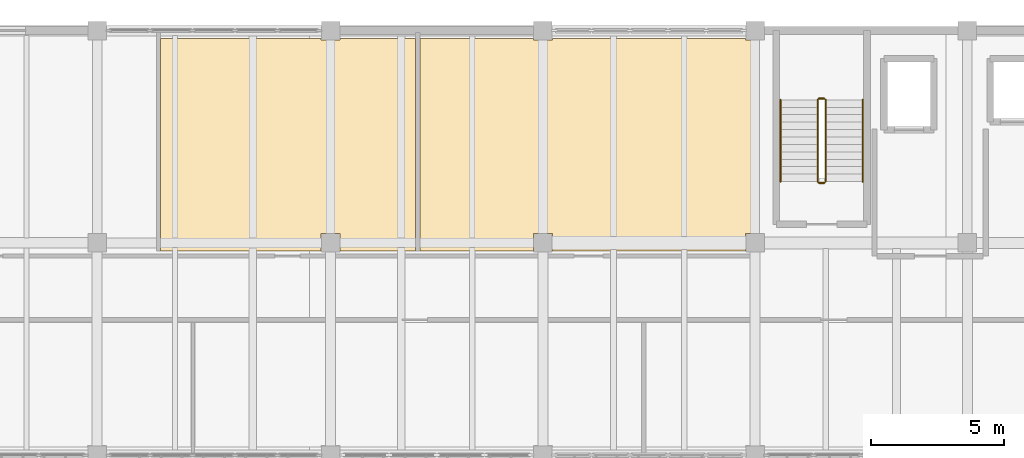
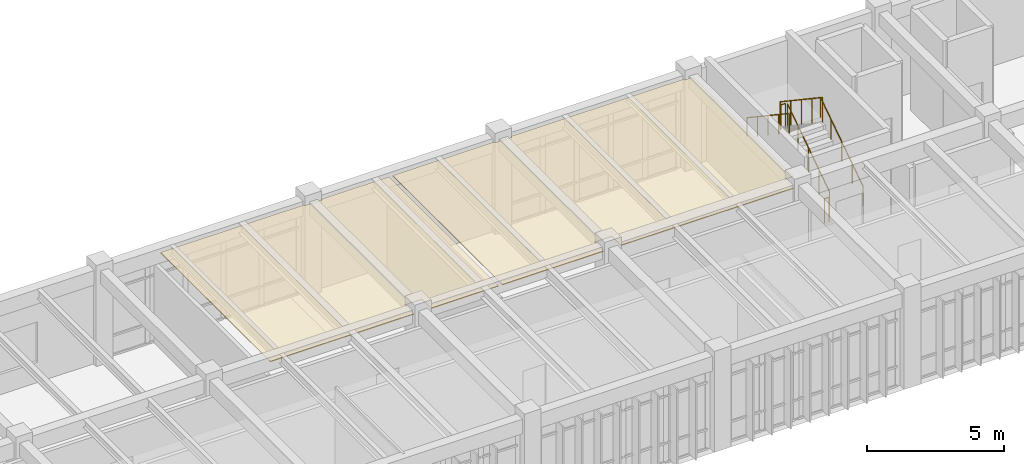
# One storey, part 68 of 72: 6 railings, 2 coverings.
"""IFC4 building model written with IfcOpenShell, lengths in metres."""

from ifc_helpers import new_model, si_unit, direction, frame, origin, origin_2d, place, context, subcontext, project, spatial, polyline, circle, outline, extrude, material, layer, layer_set, type_object, element, save


model = new_model("IFC4")

# Units and contexts
model_context = context("Model", 3, precision=1e-05, world=origin(), true_north=direction((0.0, 1.0)))
body_context = subcontext(model_context, "Body", "Model", "MODEL_VIEW")
ifc_project = project(units=[si_unit("LENGTHUNIT", "METRE"), si_unit("AREAUNIT", "SQUARE_METRE"), si_unit("VOLUMEUNIT", "CUBIC_METRE"), si_unit("PLANEANGLEUNIT", "RADIAN"), si_unit("MASSUNIT", "GRAM", prefix="KILO")], contexts=[model_context])

# Site, building, storey
site_placement = place(None, origin())
site = spatial("IfcSite", under=ifc_project, at=site_placement, CompositionType="ELEMENT")
building_placement = place(site_placement, origin())
building = spatial("IfcBuilding", under=site, at=building_placement, Name="Tlaxcora Railside Police Headquarters", CompositionType="ELEMENT")
storey_placement = place(building_placement, frame((0.0, 0.0, 13.5)))
storey = spatial("IfcBuildingStorey", under=building, at=storey_placement, Name="L03", CompositionType="ELEMENT", Elevation=13.5)

# Coverings
ifc_material_1 = material(Name="Mineral-fibre acoustic ceiling tile")
ifc_layer = layer(ifc_material_1, 0.034912109375, Name="Mineral-fibre acoustic ceiling tile")
ifc_layer_set = layer_set([ifc_layer], Name="Mineral-fibre acoustic ceiling tile")
covering_type = type_object("IfcCoveringType", Name="Acoustic Suspended Ceiling CLG-01", PredefinedType="CEILING", material=ifc_layer_set)
covering_1_placement = place(storey_placement, frame((0.0, 0.0, 4.06494140625)))
element("IfcCovering", 1, at=covering_1_placement, inside=storey, type_object=covering_type, Name="Accessible WC and Staff Restrooms L03 suspended ceiling", PredefinedType="CEILING", context=body_context, shape_type="SweptSolid", body=[
    extrude(outline(polyline([(57.208984375, 92.5), (54.360107421875, 92.5), (54.360107421875, 92.43994140625), (53.639892578125, 92.43994140625), (53.639892578125, 92.5), (47.591064453125, 92.5), (47.591064453125, 84.5), (53.639892578125, 84.5), (53.639892578125, 85.159912109375), (54.360107421875, 85.159912109375), (54.360107421875, 84.5), (57.208984375, 84.5), (57.208984375, 92.5)])), origin(), (0.0, 0.0, 1.0), 0.03515625),
])
covering_2_placement = place(storey_placement, frame((0.0, 0.0, 4.06494140625)))
element("IfcCovering", 2, at=covering_2_placement, inside=storey, type_object=covering_type, Name="Encrypted Digital Media Vault suspended ceiling", PredefinedType="CEILING", context=body_context, shape_type="SweptSolid", body=[
    extrude(outline(polyline([(62.360107421875, 84.5), (69.639892578125, 84.5), (69.639892578125, 85.159912109375), (70.0, 85.159912109375), (70.0, 92.43994140625), (69.639892578125, 92.43994140625), (69.639892578125, 92.5), (62.360107421875, 92.5), (62.360107421875, 92.43994140625), (61.639892578125, 92.43994140625), (61.639892578125, 92.5), (57.368896484375, 92.5), (57.368896484375, 84.5), (61.639892578125, 84.5), (61.639892578125, 85.159912109375), (62.360107421875, 85.159912109375), (62.360107421875, 84.5)])), origin(), (0.0, 0.0, 1.0), 0.03515625),
])

# Railings
ifc_material_2 = material(Name="Steel ASTM A992 Grade 50", Category="steel")
railing_type_1 = type_object("IfcRailingType", Name="Stair Well Guard Balustrade GR-02", PredefinedType="BALUSTRADE", material=ifc_material_2)
railing_1_placement = place(storey_placement, frame((72.659912109375, 87.110107421875, 0.1875)))
element("IfcRailing", 3, at=railing_1_placement, inside=storey, type_object=railing_type_1, Name="L03 ST2 stair guard 1", PredefinedType="BALUSTRADE", context=body_context, shape_type="SweptSolid", body=[
    extrude(circle(Radius=0.02392578125, at=origin_2d()), frame((0.0, 0.0, 1.09619140625), z_axis=(0.0, 0.830893310487, 0.556431762742), x_axis=(-1.0, 0.0, 0.0)), (0.0, 0.0, 1.0), 3.70654296875),
    extrude(circle(Radius=0.02099609375, at=origin_2d()), origin(), (0.0, 0.0, 1.0), 1.072021484375),
    extrude(circle(Radius=0.02099609375, at=origin_2d()), frame((0.0, 0.77001953125, 0.515625)), (0.0, 0.0, 1.0), 1.072021484375),
    extrude(circle(Radius=0.02099609375, at=origin_2d()), frame((0.0, 1.5400390625, 1.03125)), (0.0, 0.0, 1.0), 1.072021484375),
    extrude(circle(Radius=0.02099609375, at=origin_2d()), frame((0.0, 2.309814453125, 1.546875)), (0.0, 0.0, 1.0), 1.072021484375),
    extrude(circle(Radius=0.02099609375, at=origin_2d()), frame((0.0, 3.079833984375, 2.0625)), (0.0, 0.0, 1.0), 1.072021484375),
])
railing_2_placement = place(storey_placement, frame((72.610107421875, 90.239990234375, 2.25)))
element("IfcRailing", 4, at=railing_2_placement, inside=storey, type_object=railing_type_1, Name="L03 ST2 stair guard 2", PredefinedType="BALUSTRADE", context=body_context, shape_type="SweptSolid", body=[
    extrude(circle(Radius=0.02392578125, at=origin_2d()), frame((0.0, 0.0, 1.09619140625), z_axis=(-1.0, 0.0, 0.0), x_axis=(0.0, -1.0, 0.0)), (0.0, 0.0, 1.0), 0.2001953125),
    extrude(circle(Radius=0.02099609375, at=origin_2d()), origin(), (0.0, 0.0, 1.0), 1.072021484375),
    extrude(circle(Radius=0.02099609375, at=origin_2d()), frame((-0.2001953125, 0.0, 0.0)), (0.0, 0.0, 1.0), 1.072021484375),
])
railing_3_placement = place(storey_placement, frame((72.360107421875, 90.18994140625, 2.4375)))
element("IfcRailing", 5, at=railing_3_placement, inside=storey, type_object=railing_type_1, Name="L03 ST2 stair guard 3", PredefinedType="BALUSTRADE", context=body_context, shape_type="SweptSolid", body=[
    extrude(circle(Radius=0.02392578125, at=origin_2d()), frame((0.0, 0.0, 1.09619140625), z_axis=(0.0, -0.830893310487, 0.556431762742), x_axis=(1.0, 0.0, 0.0)), (0.0, 0.0, 1.0), 3.70654296875),
    extrude(circle(Radius=0.02099609375, at=origin_2d()), origin(), (0.0, 0.0, 1.0), 1.072021484375),
    extrude(circle(Radius=0.02099609375, at=origin_2d()), frame((0.0, -0.77001953125, 0.515625)), (0.0, 0.0, 1.0), 1.072021484375),
    extrude(circle(Radius=0.02099609375, at=origin_2d()), frame((0.0, -1.5400390625, 1.03125)), (0.0, 0.0, 1.0), 1.072021484375),
    extrude(circle(Radius=0.02099609375, at=origin_2d()), frame((0.0, -2.309814453125, 1.546875)), (0.0, 0.0, 1.0), 1.072021484375),
    extrude(circle(Radius=0.02099609375, at=origin_2d()), frame((0.0, -3.079833984375, 2.0625)), (0.0, 0.0, 1.0), 1.072021484375),
])
railing_4_placement = place(storey_placement, frame((72.610107421875, 87.06005859375, 0.0)))
element("IfcRailing", 6, at=railing_4_placement, inside=storey, type_object=railing_type_1, Name="L03 ST2 stair guard 4", PredefinedType="BALUSTRADE", context=body_context, shape_type="SweptSolid", body=[
    extrude(circle(Radius=0.02392578125, at=origin_2d()), frame((0.0, 0.0, 1.09619140625), z_axis=(-1.0, 0.0, 0.0), x_axis=(0.0, -1.0, 0.0)), (0.0, 0.0, 1.0), 0.2001953125),
    extrude(circle(Radius=0.02099609375, at=origin_2d()), origin(), (0.0, 0.0, 1.0), 1.072021484375),
    extrude(circle(Radius=0.02099609375, at=origin_2d()), frame((-0.2001953125, 0.0, 0.0)), (0.0, 0.0, 1.0), 1.072021484375),
])
railing_type_2 = type_object("IfcRailingType", Name="Stair and Ramp Handrail HR-01", PredefinedType="HANDRAIL", material=ifc_material_2)
railing_5_placement = place(storey_placement, frame((74.06005859375, 87.110107421875, 0.1875)))
element("IfcRailing", 7, at=railing_5_placement, inside=storey, type_object=railing_type_2, Name="L03 ST2 stair handrail 1", PredefinedType="HANDRAIL", context=body_context, shape_type="SweptSolid", body=[
    extrude(circle(Radius=0.02392578125, at=origin_2d()), frame((0.0, 0.0, 0.8759765625), z_axis=(0.0, 0.830893310487, 0.556431762742), x_axis=(-1.0, 0.0, 0.0)), (0.0, 0.0, 1.0), 3.70654296875),
    extrude(circle(Radius=0.02099609375, at=origin_2d()), origin(), (0.0, 0.0, 1.0), 0.851806640625),
    extrude(circle(Radius=0.02099609375, at=origin_2d()), frame((0.0, 0.77001953125, 0.515625)), (0.0, 0.0, 1.0), 0.851806640625),
    extrude(circle(Radius=0.02099609375, at=origin_2d()), frame((0.0, 1.5400390625, 1.03125)), (0.0, 0.0, 1.0), 0.851806640625),
    extrude(circle(Radius=0.02099609375, at=origin_2d()), frame((0.0, 2.309814453125, 1.546875)), (0.0, 0.0, 1.0), 0.851806640625),
    extrude(circle(Radius=0.02099609375, at=origin_2d()), frame((0.0, 3.079833984375, 2.0625)), (0.0, 0.0, 1.0), 0.851806640625),
])
railing_6_placement = place(storey_placement, frame((70.9599609375, 90.18994140625, 2.4375)))
element("IfcRailing", 8, at=railing_6_placement, inside=storey, type_object=railing_type_2, Name="L03 ST2 stair handrail 2", PredefinedType="HANDRAIL", context=body_context, shape_type="SweptSolid", body=[
    extrude(circle(Radius=0.02392578125, at=origin_2d()), frame((0.0, 0.0, 0.8759765625), z_axis=(0.0, -0.830893310487, 0.556431762742), x_axis=(1.0, 0.0, 0.0)), (0.0, 0.0, 1.0), 3.70654296875),
    extrude(circle(Radius=0.02099609375, at=origin_2d()), origin(), (0.0, 0.0, 1.0), 0.851806640625),
    extrude(circle(Radius=0.02099609375, at=origin_2d()), frame((0.0, -0.77001953125, 0.515625)), (0.0, 0.0, 1.0), 0.851806640625),
    extrude(circle(Radius=0.02099609375, at=origin_2d()), frame((0.0, -1.5400390625, 1.03125)), (0.0, 0.0, 1.0), 0.851806640625),
    extrude(circle(Radius=0.02099609375, at=origin_2d()), frame((0.0, -2.309814453125, 1.546875)), (0.0, 0.0, 1.0), 0.851806640625),
    extrude(circle(Radius=0.02099609375, at=origin_2d()), frame((0.0, -3.079833984375, 2.0625)), (0.0, 0.0, 1.0), 0.851806640625),
])

save(model, "model.ifc")
